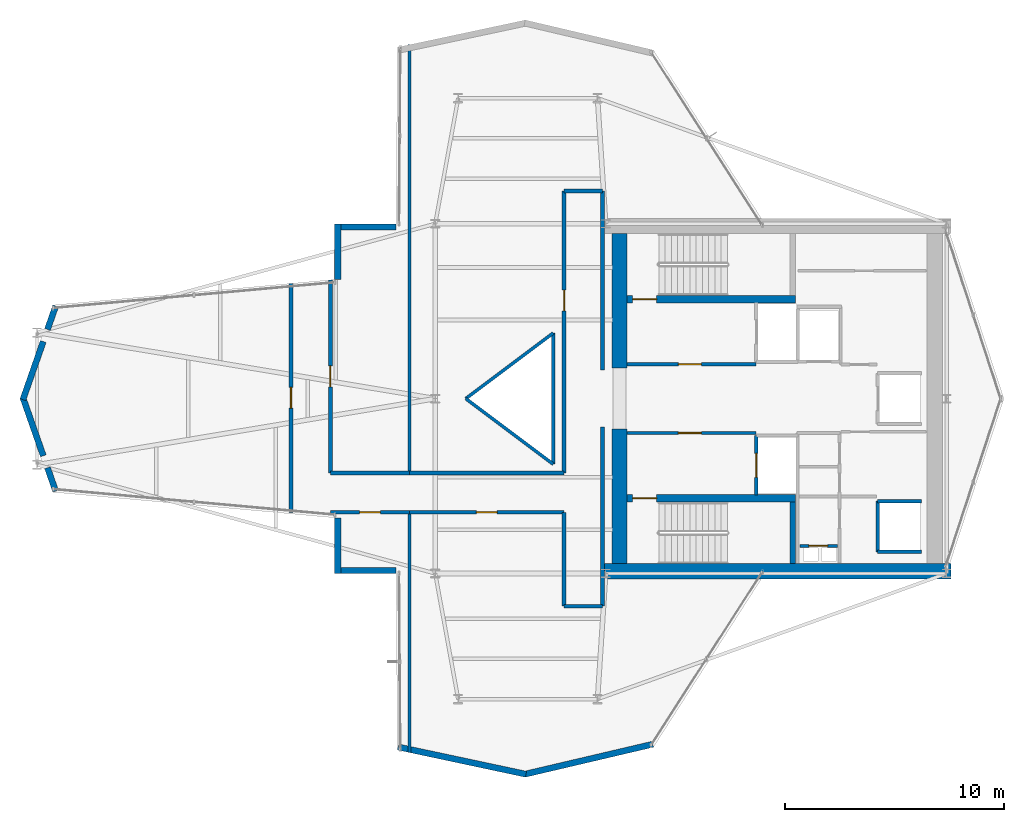
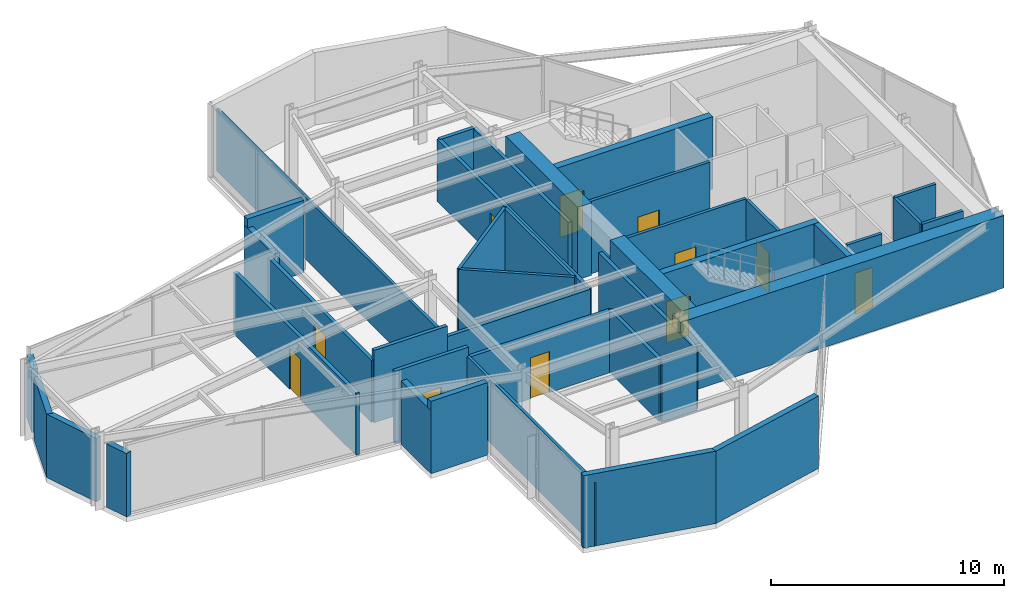
# One storey, part 21 of 23: 40 walls, 11 doors, 11 openings.
"""IFC4 building model written with IfcOpenShell, lengths in metres."""

import ifcopenshell
import ifcopenshell.guid

model = None  # the IFC model being written
_history = None  # IfcOwnerHistory: only IFC2X3 demands one
_inside = {}  # id of a spatial element -> (the spatial element, [elements in it])
_under = {}  # id of a project, library or spatial element -> (it, [spatial elements below it])
_declared = {}  # id of a project -> (the project, [libraries it declares])
_typed = {}  # id of a type object -> (the type object, [elements of that type])
_made_of = {}  # id of a material, layer set ... -> (it, [elements and type objects made of it])


def new_model(schema):
    """Start an empty IFC model of exactly this schema.

    Asked for "IFC4X3", IfcOpenShell would pick the latest addendum, in which some entities
    have other attributes; the version numbers below select the first issue.
    IFC2X3 requires an IfcOwnerHistory on every rooted entity: one is made here for all.
    """
    global model, _history
    if schema == "IFC4X3":
        model = ifcopenshell.file(schema_version=(4, 3, 0, 0))
    else:
        model = ifcopenshell.file(schema=schema)
    _inside.clear()
    _under.clear()
    _declared.clear()
    _typed.clear()
    _made_of.clear()
    _history = None
    if model.schema == "IFC2X3":
        org = make("IfcOrganization", Name="unknown")
        user = make(
            "IfcPersonAndOrganization",
            ThePerson=make("IfcPerson", FamilyName="unknown"),
            TheOrganization=org,
        )
        app = make(
            "IfcApplication",
            ApplicationDeveloper=org,
            Version="unknown",
            ApplicationFullName="unknown",
            ApplicationIdentifier="unknown",
        )
        _history = make(
            "IfcOwnerHistory",
            OwningUser=user,
            OwningApplication=app,
            ChangeAction="ADDED",
            CreationDate=0,
        )
    return model


def make(cls, **values):
    """One entity of the class cls with the attributes given. An attribute that is None is left unset."""
    return model.create_entity(
        cls, **{name: value for name, value in values.items() if value is not None}
    )


def rooted(cls, **values):
    """An entity with a GlobalId (a new one), such as an element, a storey or a relation."""
    return make(cls, GlobalId=ifcopenshell.guid.new(), OwnerHistory=_history, **values)


def si_unit(unit_type, name, prefix=None):
    """IfcSIUnit, for example si_unit("LENGTHUNIT", "METRE", prefix="MILLI")."""
    return make("IfcSIUnit", UnitType=unit_type, Prefix=prefix, Name=name)


def assignment(units):
    """IfcUnitAssignment: the units of a project."""
    return None if units is None else make("IfcUnitAssignment", Units=units)


def point(xyz):
    """IfcCartesianPoint."""
    return None if xyz is None else make("IfcCartesianPoint", Coordinates=xyz)


def direction(xyz):
    """IfcDirection."""
    return None if xyz is None else make("IfcDirection", DirectionRatios=xyz)


def frame(location, z_axis=None, x_axis=None):
    """IfcAxis2Placement3D, a coordinate frame: its origin and axes. An axis left out is left unset."""
    return make(
        "IfcAxis2Placement3D",
        Location=point(location),
        Axis=direction(z_axis),
        RefDirection=direction(x_axis),
    )


def frame_2d(location, x_axis=None):
    """IfcAxis2Placement2D, a coordinate frame in the plane: its origin and x axis."""
    return make(
        "IfcAxis2Placement2D", Location=point(location), RefDirection=direction(x_axis)
    )


def origin():
    """The frame at (0, 0, 0) with its axes left unset."""
    return frame((0.0, 0.0, 0.0))


def place(relative_to, where):
    """IfcLocalPlacement: puts the frame where relative to a parent placement (None: the world)."""
    return make(
        "IfcLocalPlacement", PlacementRelTo=relative_to, RelativePlacement=where
    )


def context(
    kind, dimensions, precision=None, world=None, true_north=None, identifier=None
):
    """IfcGeometricRepresentationContext, for example the 3D "Model" context."""
    return make(
        "IfcGeometricRepresentationContext",
        ContextIdentifier=identifier,
        ContextType=kind,
        CoordinateSpaceDimension=dimensions,
        Precision=precision,
        WorldCoordinateSystem=world,
        TrueNorth=true_north,
    )


def subcontext(parent, identifier, kind, view, scale=None):
    """IfcGeometricRepresentationSubContext, for example "Body" below "Model"."""
    return make(
        "IfcGeometricRepresentationSubContext",
        ContextIdentifier=identifier,
        ContextType=kind,
        ParentContext=parent,
        TargetScale=scale,
        TargetView=view,
    )


def project(units=None, contexts=None):
    """IfcProject with its units and contexts."""
    return rooted(
        "IfcProject",
        Name="project",
        RepresentationContexts=contexts,
        UnitsInContext=assignment(units),
    )


def spatial(cls, under=None, at=None, **own):
    """A site, building, storey or space (cls), placed at a placement, below another one or the project."""
    s = rooted(cls, ObjectPlacement=at, **own)
    if under is not None:
        _under.setdefault(under.id(), (under, []))[1].append(s)
    return s


def profile(cls, at=None, kind="AREA", **sizes):
    """A parametric profile (cls). Its sizes go by their IFC names, for example OverallWidth=200.0."""
    return make(cls, ProfileType=kind, Position=at, **sizes)


def rectangle(**sizes):
    """IfcRectangleProfileDef."""
    return profile("IfcRectangleProfileDef", **sizes)


def extrude(swept, where, along, depth):
    """IfcExtrudedAreaSolid: the profile swept, set in the frame where, extruded along a direction by depth."""
    return make(
        "IfcExtrudedAreaSolid",
        SweptArea=swept,
        Position=where,
        ExtrudedDirection=direction(along),
        Depth=depth,
    )


def shape(context_of_items, identifier, shape_type, items):
    """IfcShapeRepresentation: the items that make up one representation, for example the "Body"."""
    return make(
        "IfcShapeRepresentation",
        ContextOfItems=context_of_items,
        RepresentationIdentifier=identifier,
        RepresentationType=shape_type,
        Items=items,
    )


def material(Name=None, Category=None):
    """IfcMaterial."""
    return make("IfcMaterial", Name=Name, Category=Category)


def layer(
    of_material, thickness, ventilated=None, Name=None, Category=None, Priority=None
):
    """IfcMaterialLayer: one layer of a wall or slab, of a material (None: an air gap)."""
    return make(
        "IfcMaterialLayer",
        Material=of_material,
        LayerThickness=thickness,
        IsVentilated=ventilated,
        Name=Name,
        Category=Category,
        Priority=Priority,
    )


def layer_set(layers, Name=None):
    """IfcMaterialLayerSet."""
    return make("IfcMaterialLayerSet", MaterialLayers=layers, LayerSetName=Name)


def made_of(thing, what):
    """Note that an element or type object is made of a material, layer set ...; save() writes the relation."""
    if what is not None:
        _made_of.setdefault(what.id(), (what, []))[1].append(thing)
    return thing


def type_object(cls, material=None, **own):
    """A type object (cls), such as IfcWallType, which elements share."""
    return made_of(rooted(cls, **own), material)


def element(
    cls,
    number,
    at=None,
    inside=None,
    cuts=None,
    type_object=None,
    material=None,
    context=None,
    identifier="Body",
    shape_type=None,
    held_by="IfcProductDefinitionShape",
    body=None,
    shapes=None,
    **own,
):
    """One element of the class cls, such as IfcWall. Its Tag is "e" and its number.

    at: its placement. inside: the storey or other place that contains it. cuts: it is an
    opening in that element (IfcRelVoidsElement). A single representation is given by context,
    identifier, shape_type and body (its items); several are given by shapes. held_by: the class
    of the entity that holds the representations. save() writes the other relations.
    """
    e = rooted(cls, Tag="e%d" % number, ObjectPlacement=at, **own)
    if body is not None:
        shapes = [shape(context, identifier, shape_type, body)]
    if shapes is not None:
        e.Representation = make(held_by, Representations=shapes)
    if inside is not None:
        _inside.setdefault(inside.id(), (inside, []))[1].append(e)
    if cuts is not None:
        rooted(
            "IfcRelVoidsElement", RelatingBuildingElement=cuts, RelatedOpeningElement=e
        )
    if type_object is not None:
        _typed.setdefault(type_object.id(), (type_object, []))[1].append(e)
    return made_of(e, material)


def fill(opening, filler):
    """IfcRelFillsElement: the door or window that sits in an opening."""
    return rooted(
        "IfcRelFillsElement",
        RelatingOpeningElement=opening,
        RelatedBuildingElement=filler,
    )


def aggregate(whole, parts):
    """IfcRelAggregates: a whole, such as a stair, and the parts it consists of."""
    return rooted("IfcRelAggregates", RelatingObject=whole, RelatedObjects=parts)


def save(model, path):
    """Write the relations noted so far, then the file.

    IfcRelAggregates (storeys below a building ...), IfcRelContainedInSpatialStructure (elements
    in a storey), IfcRelDefinesByType, IfcRelAssociatesMaterial and IfcRelDeclares: one each for
    every whole, place, type object, material and project.
    """
    for whole, parts in _under.values():
        aggregate(whole, parts)
    for where, things in _inside.values():
        rooted(
            "IfcRelContainedInSpatialStructure",
            RelatedElements=things,
            RelatingStructure=where,
        )
    for kind, things in _typed.values():
        rooted("IfcRelDefinesByType", RelatedObjects=things, RelatingType=kind)
    for what, things in _made_of.values():
        rooted("IfcRelAssociatesMaterial", RelatedObjects=things, RelatingMaterial=what)
    for by, libraries in _declared.values():
        rooted("IfcRelDeclares", RelatingContext=by, RelatedDefinitions=libraries)
    model.write(path)


model = new_model("IFC4")

# Units and contexts
model_context = context("Model", 3, precision=1e-05, world=origin(), true_north=direction((0.0, 1.0)))
body_context = subcontext(model_context, "Body", "Model", "MODEL_VIEW")
ifc_project = project(units=[si_unit("LENGTHUNIT", "METRE"), si_unit("AREAUNIT", "SQUARE_METRE"), si_unit("VOLUMEUNIT", "CUBIC_METRE"), si_unit("PLANEANGLEUNIT", "RADIAN"), si_unit("MASSUNIT", "GRAM", prefix="KILO")], contexts=[model_context])

# Site, building, storey
site_placement = place(None, origin())
site = spatial("IfcSite", under=ifc_project, at=site_placement, CompositionType="ELEMENT")
building_placement = place(site_placement, origin())
building = spatial("IfcBuilding", under=site, at=building_placement, Name="Veymaron Broadcast Tower", CompositionType="ELEMENT")
storey_placement = place(building_placement, frame((0.0, 0.0, 191.85009765625)))
storey = spatial("IfcBuildingStorey", under=building, at=storey_placement, Name="L44", CompositionType="ELEMENT", Elevation=191.85009765625)

# Walls
ifc_material_1 = material(Name="Precast concrete C40/50", Category="concrete")
ifc_layer_1 = layer(ifc_material_1, 0.280029296875)
ifc_layer_set_1 = layer_set([ifc_layer_1], Name="Precast concrete C40/50")
wall_type_1 = type_object("IfcWallType", Name="WALL-EXT-280", PredefinedType="STANDARD", material=ifc_layer_set_1)
wall_1_placement = place(storey_placement, frame((29.40576171875, 31.860107421875, 0.0), z_axis=(0.0, 0.0, 1.0), x_axis=(-1.0, 0.0, 0.0)))
element("IfcWall", 1, at=wall_1_placement, inside=storey, type_object=wall_type_1, Name="L44 notched corner facade pier 9-1", PredefinedType="STANDARD", context=body_context, shape_type="SweptSolid", body=[
    extrude(rectangle(XDim=2.8056640625, YDim=0.280029296875, at=frame_2d((1.40283203125, 0.0))), origin(), (0.0, 0.0, 1.0), 3.789794921875),
])
wall_2_placement = place(storey_placement, frame((26.739990234375, 32.0, 0.0), z_axis=(0.0, 0.0, 1.0), x_axis=(0.0, -1.0, 0.0)))
element("IfcWall", 2, at=wall_2_placement, inside=storey, type_object=wall_type_1, Name="L44 notched corner facade pier 10-1", PredefinedType="STANDARD", context=body_context, shape_type="SweptSolid", body=[
    extrude(rectangle(XDim=2.54541015625, YDim=0.280029296875, at=frame_2d((1.272705078125, 0.0))), origin(), (0.0, 0.0, 1.0), 3.31884765625),
])
wall_3_placement = place(storey_placement, frame((13.83203125, 28.2373046875, 0.0), z_axis=(0.0, 0.0, 1.0), x_axis=(-0.330312133668, -0.943871757365, 0.0)))
element("IfcWall", 3, at=wall_3_placement, inside=storey, type_object=wall_type_1, Name="L44 notched corner facade pier 12-1", PredefinedType="STANDARD", context=body_context, shape_type="SweptSolid", body=[
    extrude(rectangle(XDim=1.135986328125, YDim=0.280029296875, at=frame_2d((0.56787109375, 0.0))), origin(), (0.0, 0.0, 1.0), 3.31884765625),
])
for number, where, z_axis, x_axis, name in (
    (4, (13.26416015625, 26.614990234375, 0.0), (0.0, 0.0, 1.0), (-0.330554810483, -0.94378679651, 0.0), "L44 notched corner facade pier 12-2"),
    (5, (12.33203125, 24.04638671875, 0.0), (0.0, 0.0, 1.0), (0.330554810483, -0.94378679651, 0.0), "L44 notched corner facade pier 13-1"),
):
    element("IfcWall", number, at=place(storey_placement, frame(where, z_axis=z_axis, x_axis=x_axis)), inside=storey, type_object=wall_type_1, Name=name, PredefinedType="STANDARD", context=body_context, shape_type="SweptSolid", body=[
        extrude(rectangle(XDim=2.81982421875, YDim=0.280029296875, at=frame_2d((1.409912109375, 0.0))), origin(), (0.0, 0.0, 1.0), 3.31884765625),
    ])
wall_4_placement = place(storey_placement, frame((13.456787109375, 20.8349609375, 0.0), z_axis=(0.0, 0.0, 1.0), x_axis=(0.330312133668, -0.943871757365, 0.0)))
element("IfcWall", 6, at=wall_4_placement, inside=storey, type_object=wall_type_1, Name="L44 notched corner facade pier 13-2", PredefinedType="STANDARD", context=body_context, shape_type="SweptSolid", body=[
    extrude(rectangle(XDim=1.135986328125, YDim=0.280029296875, at=frame_2d((0.56787109375, 0.0))), origin(), (0.0, 0.0, 1.0), 3.31884765625),
])
wall_5_placement = place(storey_placement, frame((26.739990234375, 18.54541015625, 0.0), z_axis=(0.0, 0.0, 1.0), x_axis=(0.0, -1.0, 0.0)))
element("IfcWall", 7, at=wall_5_placement, inside=storey, type_object=wall_type_1, Name="L44 notched corner facade pier 15-1", PredefinedType="STANDARD", context=body_context, shape_type="SweptSolid", body=[
    extrude(rectangle(XDim=2.54541015625, YDim=0.280029296875, at=frame_2d((1.272705078125, 0.0))), origin(), (0.0, 0.0, 1.0), 3.31884765625),
])
wall_6_placement = place(storey_placement, frame((26.60009765625, 16.139892578125, 0.0), z_axis=(0.0, 0.0, 1.0), x_axis=(1.0, 0.0, 0.0)))
element("IfcWall", 8, at=wall_6_placement, inside=storey, type_object=wall_type_1, Name="L44 notched corner facade pier 16-1", PredefinedType="STANDARD", context=body_context, shape_type="SweptSolid", body=[
    extrude(rectangle(XDim=2.8056640625, YDim=0.280029296875, at=frame_2d((1.40283203125, 0.0))), origin(), (0.0, 0.0, 1.0), 3.789794921875),
])
wall_7_placement = place(storey_placement, frame((29.492431640625, 8.06201171875, 0.0), z_axis=(0.0, 0.0, 1.0), x_axis=(0.978010564176, -0.208555355626, 0.0)))
element("IfcWall", 9, at=wall_7_placement, inside=storey, type_object=wall_type_1, Name="L44 notched corner facade pier 18-1", PredefinedType="STANDARD", context=body_context, shape_type="SweptSolid", body=[
    extrude(rectangle(XDim=5.99365234375, YDim=0.280029296875, at=frame_2d((2.996826171875, 0.0))), origin(), (0.0, 0.0, 1.0), 3.789794921875),
])
wall_8_placement = place(storey_placement, frame((35.29296875, 6.811279296875, 0.0), z_axis=(0.0, 0.0, 1.0), x_axis=(0.973574347184, 0.228370292517, 0.0)))
element("IfcWall", 10, at=wall_8_placement, inside=storey, type_object=wall_type_1, Name="L44 notched corner facade pier 19-1", PredefinedType="STANDARD", context=body_context, shape_type="SweptSolid", body=[
    extrude(rectangle(XDim=6.02099609375, YDim=0.280029296875, at=frame_2d((3.010498046875, 0.0))), origin(), (0.0, 0.0, 1.0), 3.789794921875),
])

# Wall, opening, door
ifc_material_2 = material(Name="Gypsum fireboard and steel stud framing", Category="steel")
ifc_layer_2 = layer(ifc_material_2, 0.14990234375)
ifc_layer_set_2 = layer_set([ifc_layer_2], Name="Gypsum fireboard and steel stud framing")
wall_type_2 = type_object("IfcWallType", Name="WALL-FIRE-150", PredefinedType="PARTITIONING", material=ifc_layer_set_2)
wall_9_placement = place(storey_placement, frame((39.97998046875, 25.574951171875, 0.0), z_axis=(0.0, 0.0, 1.0), x_axis=(1.0, 0.0, 0.0)))
wall_9 = element("IfcWall", 11, at=wall_9_placement, inside=storey, type_object=wall_type_2, Name="L44 partition IW-L44-FFLN-S", PredefinedType="PARTITIONING", context=body_context, shape_type="SweptSolid", body=[
    extrude(rectangle(XDim=5.89990234375, YDim=0.14990234375, at=frame_2d((2.949951171875, 0.0))), origin(), (0.0, 0.0, 1.0), 3.789794921875),
])
opening_1_placement = place(wall_9_placement, frame((2.35009765625, 0.0, 0.0)))
opening_1 = element("IfcOpeningElement", 12, at=opening_1_placement, cuts=wall_9, Name="Opening ID-FL1", PredefinedType="OPENING", context=body_context, shape_type="SweptSolid", body=[
    extrude(rectangle(XDim=1.050048828125, YDim=2.14990234375, at=frame_2d((0.52490234375, 1.074951171875))), frame((0.0, 0.0849609375, 0.0), z_axis=(0.0, -1.0, 0.0), x_axis=(1.0, 0.0, 0.0)), (0.0, 0.0, 1.0), 0.169921875),
])
ifc_material_3 = material(Name="Fire-rated painted hollow steel ASTM A653", Category="steel")
door_type_1 = type_object("IfcDoorType", Name="DOOR-FIRE-1050", OperationType="NOTDEFINED", PredefinedType="DOOR", material=ifc_material_3)
door_1_placement = place(opening_1_placement, origin())
door_1 = element("IfcDoor", 13, at=door_1_placement, inside=storey, type_object=door_type_1, Name="L44 door DR-L44-FFLN", OperationType="SINGLE_SWING_LEFT", OverallHeight=2.14990234375, OverallWidth=1.050048828125, PredefinedType="DOOR", context=body_context, shape_type="SweptSolid", body=[
    extrude(rectangle(XDim=1.050048828125, YDim=2.14990234375, at=frame_2d((0.52490234375, 1.074951171875))), frame((0.0, 0.02490234375, 0.0), z_axis=(0.0, -1.0, 0.0), x_axis=(1.0, 0.0, 0.0)), (0.0, 0.0, 1.0), 0.050048828125),
])
fill(opening_1, door_1)

wall_10_placement = place(storey_placement, frame((39.97998046875, 22.425048828125, 0.0), z_axis=(0.0, 0.0, 1.0), x_axis=(1.0, 0.0, 0.0)))
wall_10 = element("IfcWall", 14, at=wall_10_placement, inside=storey, type_object=wall_type_2, Name="L44 partition IW-L44-FFLS-N", PredefinedType="PARTITIONING", context=body_context, shape_type="SweptSolid", body=[
    extrude(rectangle(XDim=5.89990234375, YDim=0.14990234375, at=frame_2d((2.949951171875, 0.0))), origin(), (0.0, 0.0, 1.0), 3.789794921875),
])
opening_2_placement = place(wall_10_placement, frame((2.35009765625, 0.0, 0.0)))
opening_2 = element("IfcOpeningElement", 15, at=opening_2_placement, cuts=wall_10, Name="Opening ID-FL1", PredefinedType="OPENING", context=body_context, shape_type="SweptSolid", body=[
    extrude(rectangle(XDim=1.050048828125, YDim=2.14990234375, at=frame_2d((0.52490234375, 1.074951171875))), frame((0.0, 0.0849609375, 0.0), z_axis=(0.0, -1.0, 0.0), x_axis=(1.0, 0.0, 0.0)), (0.0, 0.0, 1.0), 0.169921875),
])
door_2_placement = place(opening_2_placement, frame((1.050048828125, 0.0, 0.0), z_axis=(0.0, 0.0, 1.0), x_axis=(-1.0, 0.0, 0.0)))
door_2 = element("IfcDoor", 16, at=door_2_placement, inside=storey, type_object=door_type_1, Name="L44 door DR-L44-FFLS", OperationType="SINGLE_SWING_RIGHT", OverallHeight=2.14990234375, OverallWidth=1.050048828125, PredefinedType="DOOR", context=body_context, shape_type="SweptSolid", body=[
    extrude(rectangle(XDim=1.050048828125, YDim=2.14990234375, at=frame_2d((0.52490234375, 1.074951171875))), frame((0.0, 0.02490234375, 0.0), z_axis=(0.0, -1.0, 0.0), x_axis=(1.0, 0.0, 0.0)), (0.0, 0.0, 1.0), 0.050048828125),
])
fill(opening_2, door_2)

wall_11_placement = place(storey_placement, frame((45.89501953125, 19.590087890625, 0.0), z_axis=(0.0, 0.0, 1.0), x_axis=(0.0, 1.0, 0.0)))
wall_11 = element("IfcWall", 17, at=wall_11_placement, inside=storey, type_object=wall_type_2, Name="L44 partition IW-L44-SHW-FFL-2", PredefinedType="PARTITIONING", context=body_context, shape_type="SweptSolid", body=[
    extrude(rectangle(XDim=2.719970703125, YDim=0.14990234375, at=frame_2d((1.35986328125, 0.0))), origin(), (0.0, 0.0, 1.0), 3.789794921875),
])
opening_3_placement = place(wall_11_placement, frame((0.81005859375, 0.0, 0.0)))
opening_3 = element("IfcOpeningElement", 18, at=opening_3_placement, cuts=wall_11, Name="Opening LD", PredefinedType="OPENING", context=body_context, shape_type="SweptSolid", body=[
    extrude(rectangle(XDim=1.10009765625, YDim=2.14990234375, at=frame_2d((0.550048828125, 1.074951171875))), frame((0.0, 0.0849609375, 0.0), z_axis=(0.0, -1.0, 0.0), x_axis=(1.0, 0.0, 0.0)), (0.0, 0.0, 1.0), 0.169921875),
])
ifc_material_4 = material(Name="Brushed stainless steel AISI 304", Category="steel")
door_type_2 = type_object("IfcDoorType", Name="DOOR-LIFT-1100", OperationType="DOUBLE_DOOR_SLIDING", PredefinedType="DOOR", material=ifc_material_4)
door_3_placement = place(opening_3_placement, frame((1.10009765625, 0.0, 0.0), z_axis=(0.0, 0.0, 1.0), x_axis=(-1.0, 0.0, 0.0)))
door_3 = element("IfcDoor", 19, at=door_3_placement, inside=storey, type_object=door_type_2, Name="L44 door LD-L44-FFL-2", OperationType="DOUBLE_DOOR_SLIDING", OverallHeight=2.14990234375, OverallWidth=1.10009765625, PredefinedType="DOOR", context=body_context, shape_type="SweptSolid", body=[
    extrude(rectangle(XDim=1.10009765625, YDim=2.14990234375, at=frame_2d((0.550048828125, 1.074951171875))), frame((0.0, 0.02490234375, 0.0), z_axis=(0.0, -1.0, 0.0), x_axis=(1.0, 0.0, 0.0)), (0.0, 0.0, 1.0), 0.050048828125),
])
fill(opening_3, door_3)

# Walls
wall_12_placement = place(storey_placement, frame((51.445068359375, 16.989990234375, 0.0), z_axis=(0.0, 0.0, 1.0), x_axis=(0.0, 1.0, 0.0)))
element("IfcWall", 20, at=wall_12_placement, inside=storey, type_object=wall_type_2, Name="L44 partition IW-L44-SHW-PH1", PredefinedType="PARTITIONING", context=body_context, shape_type="SweptSolid", body=[
    extrude(rectangle(XDim=2.320068359375, YDim=0.14990234375, at=frame_2d((1.16015625, 0.0))), origin(), (0.0, 0.0, 1.0), 3.789794921875),
])
for number, where, z_axis, x_axis, name in (
    (21, (51.445068359375, 16.989990234375, 0.0), (0.0, 0.0, 1.0), (1.0, 0.0, 0.0), "L44 partition IW-L44-SHS-PH1"),
    (22, (51.445068359375, 19.31005859375, 0.0), (0.0, 0.0, 1.0), (1.0, 0.0, 0.0), "L44 partition IW-L44-SHN-PH1"),
):
    element("IfcWall", number, at=place(storey_placement, frame(where, z_axis=z_axis, x_axis=x_axis)), inside=storey, type_object=wall_type_2, Name=name, PredefinedType="PARTITIONING", context=body_context, shape_type="SweptSolid", body=[
        extrude(rectangle(XDim=2.014892578125, YDim=0.14990234375, at=frame_2d((1.00732421875, 0.0))), origin(), (0.0, 0.0, 1.0), 3.789794921875),
    ])

# Wall, opening, door
wall_13_placement = place(storey_placement, frame((47.8798828125, 17.260009765625, 0.0), z_axis=(0.0, 0.0, 1.0), x_axis=(1.0, 0.0, 0.0)))
wall_13 = element("IfcWall", 23, at=wall_13_placement, inside=storey, type_object=wall_type_2, Name="L44 partition IW-L44-RIS-N", PredefinedType="PARTITIONING", context=body_context, shape_type="SweptSolid", body=[
    extrude(rectangle(XDim=1.72021484375, YDim=0.14990234375, at=frame_2d((0.860107421875, 0.0))), origin(), (0.0, 0.0, 1.0), 3.789794921875),
])
opening_4_placement = place(wall_13_placement, frame((0.419921875, 0.0, 0.0)))
opening_4 = element("IfcOpeningElement", 24, at=opening_4_placement, cuts=wall_13, Name="Opening ID-RS1", PredefinedType="OPENING", context=body_context, shape_type="SweptSolid", body=[
    extrude(rectangle(XDim=0.85009765625, YDim=2.14990234375, at=frame_2d((0.425048828125, 1.074951171875))), frame((0.0, 0.0849609375, 0.0), z_axis=(0.0, -1.0, 0.0), x_axis=(1.0, 0.0, 0.0)), (0.0, 0.0, 1.0), 0.169921875),
])
ifc_material_5 = material(Name="Fire-rated powder-coated steel riser leaf", Category="steel")
door_type_3 = type_object("IfcDoorType", Name="DOOR-RIS-850", OperationType="NOTDEFINED", PredefinedType="TRAPDOOR", material=ifc_material_5)
door_4_placement = place(opening_4_placement, origin())
door_4 = element("IfcDoor", 25, at=door_4_placement, inside=storey, type_object=door_type_3, Name="L44 door DR-L44-RIS", OperationType="SINGLE_SWING_LEFT", OverallHeight=2.14990234375, OverallWidth=0.85009765625, PredefinedType="TRAPDOOR", context=body_context, shape_type="SweptSolid", body=[
    extrude(rectangle(XDim=0.85009765625, YDim=2.14990234375, at=frame_2d((0.425048828125, 1.074951171875))), frame((0.0, 0.02490234375, 0.0), z_axis=(0.0, -1.0, 0.0), x_axis=(1.0, 0.0, 0.0)), (0.0, 0.0, 1.0), 0.050048828125),
])
fill(opening_4, door_4)

ifc_material_6 = material(Name="Concrete C40/50", Category="concrete")
ifc_layer_3 = layer(ifc_material_6, 0.179931640625)
ifc_layer_set_3 = layer_set([ifc_layer_3], Name="Concrete C40/50")
wall_type_3 = type_object("IfcWallType", Name="WALL-FIRE-180", PredefinedType="SOLIDWALL", material=ifc_layer_set_3)
wall_14_placement = place(storey_placement, frame((30.02490234375, 18.800048828125, 0.0), z_axis=(0.0, 0.0, 1.0), x_axis=(1.0, 0.0, 0.0)))
wall_14 = element("IfcWall", 26, at=wall_14_placement, inside=storey, type_object=wall_type_3, Name="L44 partition IW-L44-P02", PredefinedType="SOLIDWALL", context=body_context, shape_type="SweptSolid", body=[
    extrude(rectangle(XDim=7.0751953125, YDim=0.179931640625, at=frame_2d((3.53759765625, 0.0))), origin(), (0.0, 0.0, 1.0), 3.240966796875),
])
opening_5_placement = place(wall_14_placement, frame((3.0625, 0.0, 0.0)))
opening_5 = element("IfcOpeningElement", 27, at=opening_5_placement, cuts=wall_14, Name="Opening ID-RM1", PredefinedType="OPENING", context=body_context, shape_type="SweptSolid", body=[
    extrude(rectangle(XDim=0.949951171875, YDim=2.14990234375, at=frame_2d((0.47509765625, 1.074951171875))), frame((0.0, 0.10009765625, 0.0), z_axis=(0.0, -1.0, 0.0), x_axis=(1.0, 0.0, 0.0)), (0.0, 0.0, 1.0), 0.199951171875),
])
ifc_material_7 = material(Name="Acoustic solid-core European oak veneer timber", Category="wood")
door_type_4 = type_object("IfcDoorType", Name="DOOR-INT-950", OperationType="NOTDEFINED", PredefinedType="DOOR", material=ifc_material_7)
door_5_placement = place(opening_5_placement, frame((0.949951171875, 0.0, 0.0), z_axis=(0.0, 0.0, 1.0), x_axis=(-1.0, 0.0, 0.0)))
door_5 = element("IfcDoor", 28, at=door_5_placement, inside=storey, type_object=door_type_4, Name="L44 door DR-L44-P02", OperationType="SINGLE_SWING_LEFT", OverallHeight=2.14990234375, OverallWidth=0.949951171875, PredefinedType="DOOR", context=body_context, shape_type="SweptSolid", body=[
    extrude(rectangle(XDim=0.949951171875, YDim=2.14990234375, at=frame_2d((0.47509765625, 1.074951171875))), frame((0.0, 0.02490234375, 0.0), z_axis=(0.0, -1.0, 0.0), x_axis=(1.0, 0.0, 0.0)), (0.0, 0.0, 1.0), 0.050048828125),
])
fill(opening_5, door_5)

wall_15_placement = place(storey_placement, frame((26.39990234375, 18.800048828125, 0.0), z_axis=(0.0, 0.0, 1.0), x_axis=(1.0, 0.0, 0.0)))
wall_15 = element("IfcWall", 29, at=wall_15_placement, inside=storey, type_object=wall_type_3, Name="L44 partition IW-L44-P05", PredefinedType="SOLIDWALL", context=body_context, shape_type="SweptSolid", body=[
    extrude(rectangle(XDim=3.625, YDim=0.179931640625, at=frame_2d((1.8125, 0.0))), origin(), (0.0, 0.0, 1.0), 3.789794921875),
])
opening_6_placement = place(wall_15_placement, frame((1.33740234375, 0.0, 0.0)))
opening_6 = element("IfcOpeningElement", 30, at=opening_6_placement, cuts=wall_15, Name="Opening ID-RM1", PredefinedType="OPENING", context=body_context, shape_type="SweptSolid", body=[
    extrude(rectangle(XDim=0.949951171875, YDim=2.14990234375, at=frame_2d((0.47509765625, 1.074951171875))), frame((0.0, 0.10009765625, 0.0), z_axis=(0.0, -1.0, 0.0), x_axis=(1.0, 0.0, 0.0)), (0.0, 0.0, 1.0), 0.199951171875),
])
door_6_placement = place(opening_6_placement, frame((0.949951171875, 0.0, 0.0), z_axis=(0.0, 0.0, 1.0), x_axis=(-1.0, 0.0, 0.0)))
door_6 = element("IfcDoor", 31, at=door_6_placement, inside=storey, type_object=door_type_4, Name="L44 door DR-L44-P05", OperationType="SINGLE_SWING_RIGHT", OverallHeight=2.14990234375, OverallWidth=0.949951171875, PredefinedType="DOOR", context=body_context, shape_type="SweptSolid", body=[
    extrude(rectangle(XDim=0.949951171875, YDim=2.14990234375, at=frame_2d((0.47509765625, 1.074951171875))), frame((0.0, 0.02490234375, 0.0), z_axis=(0.0, -1.0, 0.0), x_axis=(1.0, 0.0, 0.0)), (0.0, 0.0, 1.0), 0.050048828125),
])
fill(opening_6, door_6)

wall_16_placement = place(storey_placement, frame((24.60009765625, 18.800048828125, 0.0), z_axis=(0.0, 0.0, 1.0), x_axis=(0.0, 1.0, 0.0)))
wall_16 = element("IfcWall", 32, at=wall_16_placement, inside=storey, type_object=wall_type_3, Name="L44 partition IW-L44-P06", PredefinedType="SOLIDWALL", context=body_context, shape_type="SweptSolid", body=[
    extrude(rectangle(XDim=10.47314453125, YDim=0.179931640625, at=frame_2d((5.236572265625, 0.0))), origin(), (0.0, 0.0, 1.0), 3.240966796875),
])
opening_7_placement = place(wall_16_placement, frame((4.761474609375, 0.0, 0.0)))
opening_7 = element("IfcOpeningElement", 33, at=opening_7_placement, cuts=wall_16, Name="Opening ID-RM1", PredefinedType="OPENING", context=body_context, shape_type="SweptSolid", body=[
    extrude(rectangle(XDim=0.949951171875, YDim=2.14990234375, at=frame_2d((0.47509765625, 1.074951171875))), frame((0.0, 0.10009765625, 0.0), z_axis=(0.0, -1.0, 0.0), x_axis=(1.0, 0.0, 0.0)), (0.0, 0.0, 1.0), 0.199951171875),
])
door_7_placement = place(opening_7_placement, origin())
door_7 = element("IfcDoor", 34, at=door_7_placement, inside=storey, type_object=door_type_4, Name="L44 door DR-L44-P06", OperationType="SINGLE_SWING_LEFT", OverallHeight=2.14990234375, OverallWidth=0.949951171875, PredefinedType="DOOR", context=body_context, shape_type="SweptSolid", body=[
    extrude(rectangle(XDim=0.949951171875, YDim=2.14990234375, at=frame_2d((0.47509765625, 1.074951171875))), frame((0.0, 0.02490234375, 0.0), z_axis=(0.0, -1.0, 0.0), x_axis=(1.0, 0.0, 0.0)), (0.0, 0.0, 1.0), 0.050048828125),
])
fill(opening_7, door_7)

wall_17_placement = place(storey_placement, frame((26.39990234375, 20.60009765625, 0.0), z_axis=(0.0, 0.0, 1.0), x_axis=(0.0, 1.0, 0.0)))
wall_17 = element("IfcWall", 35, at=wall_17_placement, inside=storey, type_object=wall_type_3, Name="L44 partition IW-L44-P07", PredefinedType="SOLIDWALL", context=body_context, shape_type="SweptSolid", body=[
    extrude(rectangle(XDim=8.83642578125, YDim=0.179931640625, at=frame_2d((4.418212890625, 0.0))), origin(), (0.0, 0.0, 1.0), 3.240966796875),
])
opening_8_placement = place(wall_17_placement, frame((3.943115234375, 0.0, 0.0)))
opening_8 = element("IfcOpeningElement", 36, at=opening_8_placement, cuts=wall_17, Name="Opening ID-RM1", PredefinedType="OPENING", context=body_context, shape_type="SweptSolid", body=[
    extrude(rectangle(XDim=0.949951171875, YDim=2.14990234375, at=frame_2d((0.47509765625, 1.074951171875))), frame((0.0, 0.10009765625, 0.0), z_axis=(0.0, -1.0, 0.0), x_axis=(1.0, 0.0, 0.0)), (0.0, 0.0, 1.0), 0.199951171875),
])
door_8_placement = place(opening_8_placement, frame((0.949951171875, 0.0, 0.0), z_axis=(0.0, 0.0, 1.0), x_axis=(-1.0, 0.0, 0.0)))
door_8 = element("IfcDoor", 37, at=door_8_placement, inside=storey, type_object=door_type_4, Name="L44 door DR-L44-P07", OperationType="SINGLE_SWING_RIGHT", OverallHeight=2.14990234375, OverallWidth=0.949951171875, PredefinedType="DOOR", context=body_context, shape_type="SweptSolid", body=[
    extrude(rectangle(XDim=0.949951171875, YDim=2.14990234375, at=frame_2d((0.47509765625, 1.074951171875))), frame((0.0, 0.02490234375, 0.0), z_axis=(0.0, -1.0, 0.0), x_axis=(1.0, 0.0, 0.0)), (0.0, 0.0, 1.0), 0.050048828125),
])
fill(opening_8, door_8)

wall_18_placement = place(storey_placement, frame((37.10009765625, 20.60009765625, 0.0), z_axis=(0.0, 0.0, 1.0), x_axis=(0.0, 1.0, 0.0)))
wall_18 = element("IfcWall", 38, at=wall_18_placement, inside=storey, type_object=wall_type_3, Name="L44 partition IW-L44-P09", PredefinedType="SOLIDWALL", context=body_context, shape_type="SweptSolid", body=[
    extrude(rectangle(XDim=12.89990234375, YDim=0.179931640625, at=frame_2d((6.449951171875, 0.0))), origin(), (0.0, 0.0, 1.0), 3.240966796875),
])
opening_9_placement = place(wall_18_placement, frame((7.4150390625, 0.0, 0.0)))
opening_9 = element("IfcOpeningElement", 39, at=opening_9_placement, cuts=wall_18, Name="Opening ID-RM1", PredefinedType="OPENING", context=body_context, shape_type="SweptSolid", body=[
    extrude(rectangle(XDim=0.949951171875, YDim=2.14990234375, at=frame_2d((0.47509765625, 1.074951171875))), frame((0.0, 0.10009765625, 0.0), z_axis=(0.0, -1.0, 0.0), x_axis=(1.0, 0.0, 0.0)), (0.0, 0.0, 1.0), 0.199951171875),
])
door_9_placement = place(opening_9_placement, frame((0.949951171875, 0.0, 0.0), z_axis=(0.0, 0.0, 1.0), x_axis=(-1.0, 0.0, 0.0)))
door_9 = element("IfcDoor", 40, at=door_9_placement, inside=storey, type_object=door_type_4, Name="L44 door DR-L44-P09", OperationType="SINGLE_SWING_RIGHT", OverallHeight=2.14990234375, OverallWidth=0.949951171875, PredefinedType="DOOR", context=body_context, shape_type="SweptSolid", body=[
    extrude(rectangle(XDim=0.949951171875, YDim=2.14990234375, at=frame_2d((0.47509765625, 1.074951171875))), frame((0.0, 0.02490234375, 0.0), z_axis=(0.0, -1.0, 0.0), x_axis=(1.0, 0.0, 0.0)), (0.0, 0.0, 1.0), 0.050048828125),
])
fill(opening_9, door_9)

# Walls
wall_19_placement = place(storey_placement, frame((38.85009765625, 14.5, 0.0), z_axis=(0.0, 0.0, 1.0), x_axis=(0.0, 1.0, 0.0)))
element("IfcWall", 41, at=wall_19_placement, inside=storey, type_object=wall_type_3, Name="L44 partition IW-L44-P01", PredefinedType="SOLIDWALL", context=body_context, shape_type="SweptSolid", body=[
    extrude(rectangle(XDim=8.199951171875, YDim=0.179931640625, at=frame_2d((4.10009765625, 0.0))), origin(), (0.0, 0.0, 1.0), 3.240966796875),
])
wall_20_placement = place(storey_placement, frame((37.10009765625, 14.5, 0.0), z_axis=(0.0, 0.0, 1.0), x_axis=(0.0, 1.0, 0.0)))
element("IfcWall", 42, at=wall_20_placement, inside=storey, type_object=wall_type_3, Name="L44 partition IW-L44-P03", PredefinedType="SOLIDWALL", context=body_context, shape_type="SweptSolid", body=[
    extrude(rectangle(XDim=4.300048828125, YDim=0.179931640625, at=frame_2d((2.14990234375, 0.0))), origin(), (0.0, 0.0, 1.0), 3.240966796875),
])
wall_21_placement = place(storey_placement, frame((37.10009765625, 14.5, 0.0), z_axis=(0.0, 0.0, 1.0), x_axis=(1.0, 0.0, 0.0)))
element("IfcWall", 43, at=wall_21_placement, inside=storey, type_object=wall_type_3, Name="L44 partition IW-L44-P04", PredefinedType="SOLIDWALL", context=body_context, shape_type="SweptSolid", body=[
    extrude(rectangle(XDim=1.75, YDim=0.179931640625, at=frame_2d((0.875, 0.0))), origin(), (0.0, 0.0, 1.0), 3.240966796875),
])
wall_22_placement = place(storey_placement, frame((26.39990234375, 20.60009765625, 0.0), z_axis=(0.0, 0.0, 1.0), x_axis=(1.0, 0.0, 0.0)))
element("IfcWall", 44, at=wall_22_placement, inside=storey, type_object=wall_type_3, Name="L44 partition IW-L44-P08", PredefinedType="SOLIDWALL", context=body_context, shape_type="SweptSolid", body=[
    extrude(rectangle(XDim=3.625, YDim=0.179931640625, at=frame_2d((1.8125, 0.0))), origin(), (0.0, 0.0, 1.0), 3.789794921875),
])
wall_23_placement = place(storey_placement, frame((38.85009765625, 25.300048828125, 0.0), z_axis=(0.0, 0.0, 1.0), x_axis=(0.0, 1.0, 0.0)))
element("IfcWall", 45, at=wall_23_placement, inside=storey, type_object=wall_type_3, Name="L44 partition IW-L44-P10", PredefinedType="SOLIDWALL", context=body_context, shape_type="SweptSolid", body=[
    extrude(rectangle(XDim=8.199951171875, YDim=0.179931640625, at=frame_2d((4.10009765625, 0.0))), origin(), (0.0, 0.0, 1.0), 3.240966796875),
])
wall_24_placement = place(storey_placement, frame((30.02490234375, 20.60009765625, 0.0), z_axis=(0.0, 0.0, 1.0), x_axis=(1.0, 0.0, 0.0)))
element("IfcWall", 46, at=wall_24_placement, inside=storey, type_object=wall_type_3, Name="L44 partition IW-L44-P11", PredefinedType="SOLIDWALL", context=body_context, shape_type="SweptSolid", body=[
    extrude(rectangle(XDim=7.0751953125, YDim=0.179931640625, at=frame_2d((3.53759765625, 0.0))), origin(), (0.0, 0.0, 1.0), 3.240966796875),
])
wall_25_placement = place(storey_placement, frame((37.10009765625, 33.5, 0.0), z_axis=(0.0, 0.0, 1.0), x_axis=(1.0, 0.0, 0.0)))
element("IfcWall", 47, at=wall_25_placement, inside=storey, type_object=wall_type_3, Name="L44 partition IW-L44-P12", PredefinedType="SOLIDWALL", context=body_context, shape_type="SweptSolid", body=[
    extrude(rectangle(XDim=1.75, YDim=0.179931640625, at=frame_2d((0.875, 0.0))), origin(), (0.0, 0.0, 1.0), 3.240966796875),
])
ifc_material_8 = material(Name="Fire-rated laminated glass in aluminium frame", Category="aluminium")
ifc_layer_4 = layer(ifc_material_8, 0.14990234375)
ifc_layer_set_4 = layer_set([ifc_layer_4], Name="Fire-rated laminated glass in aluminium frame")
wall_type_4 = type_object("IfcWallType", Name="WALL-GLZ-150", PredefinedType="MOVABLE", material=ifc_layer_set_4)
wall_26_placement = place(storey_placement, frame((32.60009765625, 24.0, 0.0), z_axis=(0.0, 0.0, 1.0), x_axis=(0.8, -0.6, 0.0)))
element("IfcWall", 48, at=wall_26_placement, inside=storey, type_object=wall_type_4, Name="L44 partition IW-L44-ATR1", PredefinedType="MOVABLE", context=body_context, shape_type="SweptSolid", body=[
    extrude(rectangle(XDim=5.0, YDim=0.14990234375, at=frame_2d((2.5, 0.0))), origin(), (0.0, 0.0, 1.0), 3.789794921875),
])
wall_27_placement = place(storey_placement, frame((36.60009765625, 21.0, 0.0), z_axis=(0.0, 0.0, 1.0), x_axis=(0.0, 1.0, 0.0)))
element("IfcWall", 49, at=wall_27_placement, inside=storey, type_object=wall_type_4, Name="L44 partition IW-L44-ATR2", PredefinedType="MOVABLE", context=body_context, shape_type="SweptSolid", body=[
    extrude(rectangle(XDim=6.0, YDim=0.14990234375, at=frame_2d((3.0, 0.0))), origin(), (0.0, 0.0, 1.0), 3.789794921875),
])
wall_28_placement = place(storey_placement, frame((36.60009765625, 27.0, 0.0), z_axis=(0.0, 0.0, 1.0), x_axis=(-0.8, -0.6, 0.0)))
element("IfcWall", 50, at=wall_28_placement, inside=storey, type_object=wall_type_4, Name="L44 partition IW-L44-ATR3", PredefinedType="MOVABLE", context=body_context, shape_type="SweptSolid", body=[
    extrude(rectangle(XDim=5.0, YDim=0.14990234375, at=frame_2d((2.5, 0.0))), origin(), (0.0, 0.0, 1.0), 3.789794921875),
])
ifc_material_9 = material(Name="Double-layer acoustic gypsum and stud", Category="gypsum")
ifc_layer_5 = layer(ifc_material_9, 0.135009765625)
ifc_layer_set_5 = layer_set([ifc_layer_5], Name="Double-layer acoustic gypsum and stud")
wall_type_5 = type_object("IfcWallType", Name="WALL-PART-135", PredefinedType="PARTITIONING", material=ifc_layer_set_5)
wall_29_placement = place(storey_placement, frame((30.02490234375, 7.80517578125, 0.0), z_axis=(0.0, 0.0, 1.0), x_axis=(0.0, 1.0, 0.0)))
element("IfcWall", 51, at=wall_29_placement, inside=storey, type_object=wall_type_5, Name="L44 partition IW-L44-P13", PredefinedType="PARTITIONING", context=body_context, shape_type="SweptSolid", body=[
    extrude(rectangle(XDim=10.994873046875, YDim=0.135009765625, at=frame_2d((5.49755859375, 0.0))), origin(), (0.0, 0.0, 1.0), 3.31884765625),
])
wall_30_placement = place(storey_placement, frame((30.02490234375, 20.60009765625, 0.0), z_axis=(0.0, 0.0, 1.0), x_axis=(0.0, 1.0, 0.0)))
element("IfcWall", 52, at=wall_30_placement, inside=storey, type_object=wall_type_5, Name="L44 partition IW-L44-P14", PredefinedType="PARTITIONING", context=body_context, shape_type="SweptSolid", body=[
    extrude(rectangle(XDim=19.5947265625, YDim=0.135009765625, at=frame_2d((9.79736328125, 0.0))), origin(), (0.0, 0.0, 1.0), 3.240966796875),
])
ifc_material_10 = material(Name="Concrete C50/60", Category="concrete")
ifc_layer_6 = layer(ifc_material_10, 0.25)
ifc_layer_set_6 = layer_set([ifc_layer_6], Name="Concrete C50/60")
wall_type_6 = type_object("IfcWallType", Name="WALL-SHEAR-250", PredefinedType="SHEAR", material=ifc_layer_set_6)
wall_31_placement = place(storey_placement, frame((47.56494140625, 16.449951171875, 0.0), z_axis=(0.0, 0.0, 1.0), x_axis=(0.0, 1.0, 0.0)))
element("IfcWall", 53, at=wall_31_placement, inside=storey, type_object=wall_type_6, Name="L44 Core Wall south stair east shear", PredefinedType="SHEAR", context=body_context, shape_type="SweptSolid", body=[
    extrude(rectangle(XDim=2.820068359375, YDim=0.25, at=frame_2d((1.41015625, 0.0))), origin(), (0.0, 0.0, 1.0), 3.789794921875),
])

# Wall, opening, door
ifc_layer_7 = layer(ifc_material_10, 0.35009765625)
ifc_layer_set_7 = layer_set([ifc_layer_7], Name="Concrete C50/60")
wall_type_7 = type_object("IfcWallType", Name="WALL-SHEAR-350", PredefinedType="SHEAR", material=ifc_layer_set_7)
wall_32_placement = place(storey_placement, frame((39.97998046875, 28.554931640625, 0.0), z_axis=(0.0, 0.0, 1.0), x_axis=(1.0, 0.0, 0.0)))
wall_32 = element("IfcWall", 54, at=wall_32_placement, inside=storey, type_object=wall_type_7, Name="L44 Core Wall north stair spine", PredefinedType="SHEAR", context=body_context, shape_type="SweptSolid", body=[
    extrude(rectangle(XDim=7.7099609375, YDim=0.35009765625, at=frame_2d((3.85498046875, 0.0))), origin(), (0.0, 0.0, 1.0), 3.789794921875),
])
opening_10_placement = place(wall_32_placement, frame((0.25, 0.0, 0.0)))
opening_10 = element("IfcOpeningElement", 55, at=opening_10_placement, cuts=wall_32, Name="Opening ID-ST1", PredefinedType="OPENING", context=body_context, shape_type="SweptSolid", body=[
    extrude(rectangle(XDim=1.10009765625, YDim=2.14990234375, at=frame_2d((0.550048828125, 1.074951171875))), frame((0.0, 0.18505859375, 0.0), z_axis=(0.0, -1.0, 0.0), x_axis=(1.0, 0.0, 0.0)), (0.0, 0.0, 1.0), 0.3701171875),
])
door_type_5 = type_object("IfcDoorType", Name="DOOR-STAIR-1100", OperationType="NOTDEFINED", PredefinedType="DOOR", material=ifc_material_3)
door_10_placement = place(opening_10_placement, origin())
door_10 = element("IfcDoor", 56, at=door_10_placement, inside=storey, type_object=door_type_5, Name="L44 exit stair ST1 fire door", OperationType="SINGLE_SWING_LEFT", OverallHeight=2.14990234375, OverallWidth=1.10009765625, PredefinedType="DOOR", context=body_context, shape_type="SweptSolid", body=[
    extrude(rectangle(XDim=1.10009765625, YDim=2.14990234375, at=frame_2d((0.550048828125, 1.074951171875))), frame((0.0, 0.02490234375, 0.0), z_axis=(0.0, -1.0, 0.0), x_axis=(1.0, 0.0, 0.0)), (0.0, 0.0, 1.0), 0.050048828125),
])
fill(opening_10, door_10)

wall_33_placement = place(storey_placement, frame((39.97998046875, 19.445068359375, 0.0), z_axis=(0.0, 0.0, 1.0), x_axis=(1.0, 0.0, 0.0)))
wall_33 = element("IfcWall", 57, at=wall_33_placement, inside=storey, type_object=wall_type_7, Name="L44 Core Wall south stair spine", PredefinedType="SHEAR", context=body_context, shape_type="SweptSolid", body=[
    extrude(rectangle(XDim=7.7099609375, YDim=0.35009765625, at=frame_2d((3.85498046875, 0.0))), origin(), (0.0, 0.0, 1.0), 3.789794921875),
])
opening_11_placement = place(wall_33_placement, frame((0.25, 0.0, 0.0)))
opening_11 = element("IfcOpeningElement", 58, at=opening_11_placement, cuts=wall_33, Name="Opening ID-ST1", PredefinedType="OPENING", context=body_context, shape_type="SweptSolid", body=[
    extrude(rectangle(XDim=1.10009765625, YDim=2.14990234375, at=frame_2d((0.550048828125, 1.074951171875))), frame((0.0, 0.18505859375, 0.0), z_axis=(0.0, -1.0, 0.0), x_axis=(1.0, 0.0, 0.0)), (0.0, 0.0, 1.0), 0.3701171875),
])
door_11_placement = place(opening_11_placement, frame((1.10009765625, 0.0, 0.0), z_axis=(0.0, 0.0, 1.0), x_axis=(-1.0, 0.0, 0.0)))
door_11 = element("IfcDoor", 59, at=door_11_placement, inside=storey, type_object=door_type_5, Name="L44 exit stair ST2 fire door", OperationType="SINGLE_SWING_RIGHT", OverallHeight=2.14990234375, OverallWidth=1.10009765625, PredefinedType="DOOR", context=body_context, shape_type="SweptSolid", body=[
    extrude(rectangle(XDim=1.10009765625, YDim=2.14990234375, at=frame_2d((0.550048828125, 1.074951171875))), frame((0.0, 0.02490234375, 0.0), z_axis=(0.0, -1.0, 0.0), x_axis=(1.0, 0.0, 0.0)), (0.0, 0.0, 1.0), 0.050048828125),
])
fill(opening_11, door_11)

# Walls
ifc_material_11 = material(Name="Concrete C60/75", Category="concrete")
ifc_layer_8 = layer(ifc_material_11, 0.699951171875)
ifc_layer_set_8 = layer_set([ifc_layer_8], Name="Concrete C60/75")
wall_type_8 = type_object("IfcWallType", Name="WALL-SHEAR-700", PredefinedType="SHEAR", material=ifc_layer_set_8)
wall_34_placement = place(storey_placement, frame((38.800048828125, 16.10009765625, 0.0), z_axis=(0.0, 0.0, 1.0), x_axis=(1.0, 0.0, 0.0)))
element("IfcWall", 60, at=wall_34_placement, inside=storey, type_object=wall_type_8, Name="L44 Core Wall south shear", PredefinedType="SHEAR", context=body_context, shape_type="SweptSolid", body=[
    extrude(rectangle(XDim=16.0, YDim=0.699951171875, at=frame_2d((8.0, 0.0))), origin(), (0.0, 0.0, 1.0), 3.789794921875),
])
for number, where, z_axis, x_axis, name in (
    (61, (39.6298828125, 16.449951171875, 0.0), (0.0, 0.0, 1.0), (0.0, 1.0, 0.0), "L44 Core Wall west-south shear"),
    (62, (39.6298828125, 25.39990234375, 0.0), (0.0, 0.0, 1.0), (0.0, 1.0, 0.0), "L44 Core Wall west-north shear"),
):
    element("IfcWall", number, at=place(storey_placement, frame(where, z_axis=z_axis, x_axis=x_axis)), inside=storey, type_object=wall_type_8, Name=name, PredefinedType="SHEAR", context=body_context, shape_type="SweptSolid", body=[
        extrude(rectangle(XDim=6.150146484375, YDim=0.699951171875, at=frame_2d((3.0751953125, 0.0))), origin(), (0.0, 0.0, 1.0), 3.789794921875),
    ])

save(model, "model.ifc")
